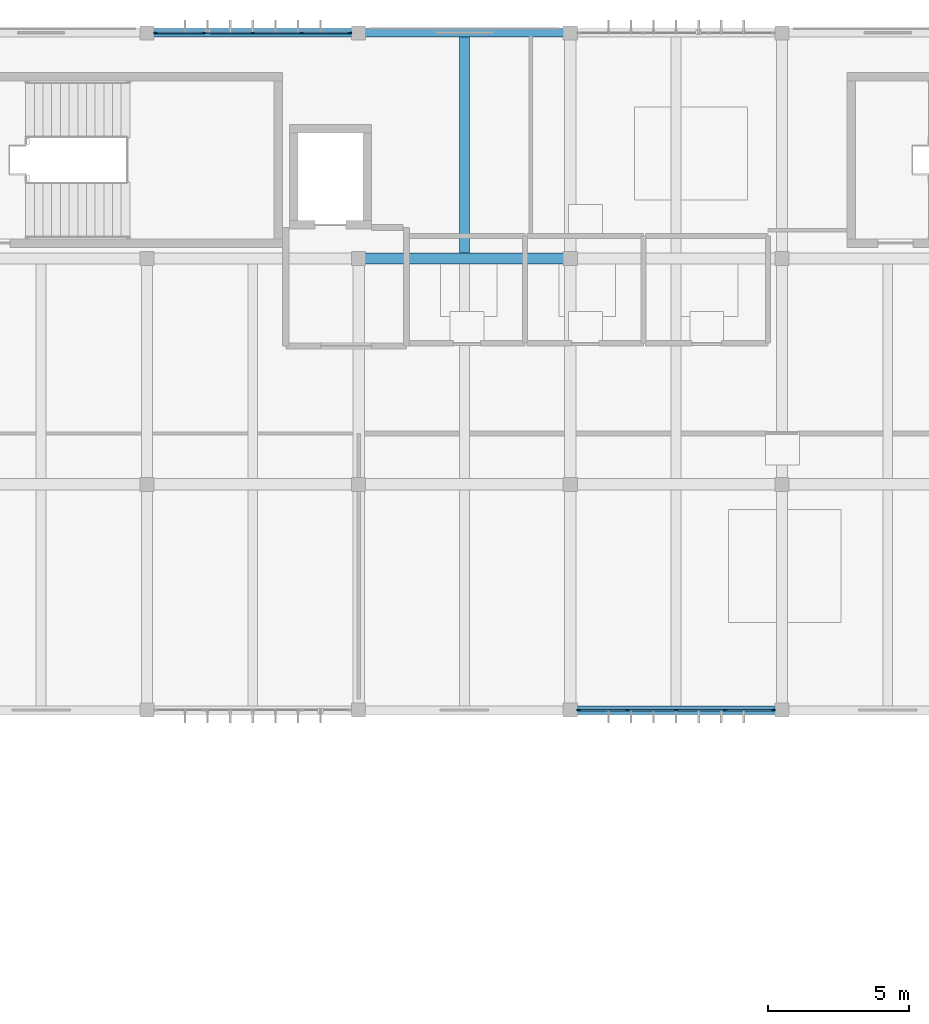
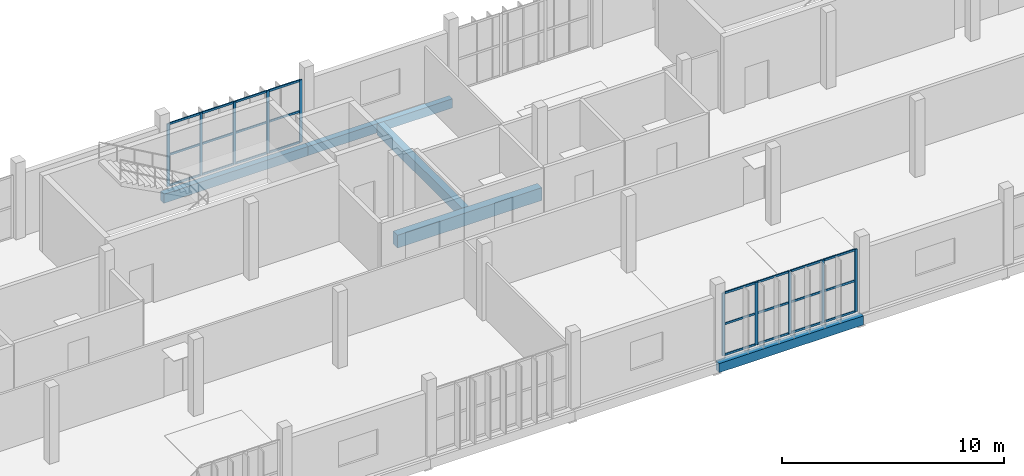
# One storey, part 8 of 27: 34 members, 5 beams, 2 elements without a shape of their own.
"""IFC4 building model written with IfcOpenShell, lengths in metres."""

from ifc_helpers import new_model, si_unit, direction, frame, origin, origin_2d, place, context, subcontext, project, spatial, rectangle, extrude, material, material_profile, profile_set, type_object, element, aggregate, save


model = new_model("IFC4")

# Units and contexts
model_context = context("Model", 3, precision=1e-05, world=origin(), true_north=direction((0.0, 1.0)))
body_context = subcontext(model_context, "Body", "Model", "MODEL_VIEW")
ifc_project = project(units=[si_unit("LENGTHUNIT", "METRE"), si_unit("AREAUNIT", "SQUARE_METRE"), si_unit("VOLUMEUNIT", "CUBIC_METRE"), si_unit("PLANEANGLEUNIT", "RADIAN"), si_unit("MASSUNIT", "GRAM", prefix="KILO")], contexts=[model_context])

# Site, building, storey
site_placement = place(None, origin())
site = spatial("IfcSite", under=ifc_project, at=site_placement, CompositionType="ELEMENT")
building_placement = place(site_placement, origin())
building = spatial("IfcBuilding", under=site, at=building_placement, Name="Vourika Railside Aquatics Centre", CompositionType="ELEMENT")
storey_placement = place(building_placement, frame((0.0, 0.0, 13.5)))
storey = spatial("IfcBuildingStorey", under=building, at=storey_placement, Name="L03", CompositionType="ELEMENT", Elevation=13.5)

# Beams
ifc_material_1 = material(Name="Concrete C35/45", Category="concrete")
ifc_material_profile_1 = material_profile(ifc_material_1, rectangle(XDim=0.39990234375, YDim=0.699951171875, at=origin_2d()), Name="RC 400x700")
ifc_profile_set_1 = profile_set([ifc_material_profile_1], Name="Concrete C35/45")
beam_type_1 = type_object("IfcBeamType", Name="BM-GIRD-400x700", PredefinedType="BEAM", material=ifc_profile_set_1)
beam_1_placement = place(storey_placement, frame((58.5, 108.0, -0.610107421875), z_axis=(1.0, 0.0, 0.0), x_axis=(0.0, 1.0, 0.0)))
element("IfcBeam", 1, at=beam_1_placement, inside=storey, type_object=beam_type_1, Name="Floor Beam GX-L03-075", PredefinedType="BEAM", context=body_context, shape_type="SweptSolid", body=[
    extrude(rectangle(XDim=0.39990234375, YDim=0.699951171875, at=origin_2d()), origin(), (0.0, 0.0, 1.0), 7.5),
])
ifc_material_profile_2 = material_profile(ifc_material_1, rectangle(XDim=0.35009765625, YDim=0.60009765625, at=origin_2d()), Name="RC 350x600")
ifc_profile_set_2 = profile_set([ifc_material_profile_2], Name="Concrete C35/45")
beam_type_2 = type_object("IfcBeamType", Name="BM-SEC-350x600", PredefinedType="JOIST", material=ifc_profile_set_2)
beam_2_placement = place(storey_placement, frame((62.25, 108.199951171875, -0.56005859375), z_axis=(0.0, 1.0, 0.0), x_axis=(-1.0, 0.0, 0.0)))
element("IfcBeam", 2, at=beam_2_placement, inside=storey, type_object=beam_type_2, Name="Secondary Joist JY-L03-245", PredefinedType="JOIST", context=body_context, shape_type="SweptSolid", body=[
    extrude(rectangle(XDim=0.35009765625, YDim=0.60009765625, at=origin_2d()), origin(), (0.0, 0.0, 1.0), 7.650146484375),
])
ifc_material_profile_3 = material_profile(ifc_material_1, rectangle(XDim=0.300048828125, YDim=0.5, at=origin_2d()), Name="RC 300x500")
ifc_profile_set_3 = profile_set([ifc_material_profile_3], Name="Concrete C35/45")
beam_type_3 = type_object("IfcBeamType", Name="BM-SPAN-300x500", PredefinedType="SPANDREL", material=ifc_profile_set_3)
for number, where, z_axis, x_axis, name in (
    (3, (66.0, 92.0, -0.510009765625), (1.0, 0.0, 0.0), (0.0, 1.0, 0.0), "Floor Beam GX-L03-042"),
    (4, (51.0, 116.0, -0.510009765625), (1.0, 0.0, 0.0), (0.0, 1.0, 0.0), "Floor Beam GX-L03-089"),
    (5, (58.5, 116.0, -0.510009765625), (1.0, 0.0, 0.0), (0.0, 1.0, 0.0), "Floor Beam GX-L03-090"),
):
    element("IfcBeam", number, at=place(storey_placement, frame(where, z_axis=z_axis, x_axis=x_axis)), inside=storey, type_object=beam_type_3, Name=name, PredefinedType="SPANDREL", context=body_context, shape_type="SweptSolid", body=[
        extrude(rectangle(XDim=0.300048828125, YDim=0.5, at=origin_2d()), origin(), (0.0, 0.0, 1.0), 7.5),
    ])

# Curtain wall, members
ifc_material_2 = material(Name="Anodized thermally broken aluminium", Category="aluminium")
curtain_wall_type = type_object("IfcCurtainWallType", Name="CW-FIT3", PredefinedType="NOTDEFINED", material=ifc_material_2)
curtain_wall_1_placement = place(storey_placement, origin())
curtain_wall_1 = element("IfcCurtainWall", 6, at=curtain_wall_1_placement, inside=storey, type_object=curtain_wall_type, Name="North Boulevard Curtain Wall L03-5", PredefinedType="NOTDEFINED")
ifc_material_3 = material(Name="Anodized aluminium mullion", Category="aluminium")
ifc_material_profile_4 = material_profile(ifc_material_3, rectangle(XDim=0.05810546875, YDim=0.14208984375, at=origin_2d()), Name="ALU-M 58x142")
ifc_profile_set_4 = profile_set([ifc_material_profile_4], Name="Anodized aluminium mullion")
member_type_1 = type_object("IfcMemberType", Name="CWM-FIT3", PredefinedType="MULLION", material=ifc_profile_set_4)
member_1_placement = place(storey_placement, frame((58.19091796875, 116.0, 0.0), z_axis=(0.0, 0.0, 1.0), x_axis=(0.0, -1.0, 0.0)))
member_1 = element("IfcMember", 7, at=member_1_placement, type_object=member_type_1, Name="CW17 mullion 1", PredefinedType="MULLION", context=body_context, shape_type="SweptSolid", body=[
    extrude(rectangle(XDim=0.05810546875, YDim=0.14208984375, at=origin_2d()), origin(), (0.0, 0.0, 1.0), 3.43994140625),
])
member_2_placement = place(storey_placement, frame((56.485107421875, 116.0, 0.0), z_axis=(0.0, 0.0, 1.0), x_axis=(0.0, -1.0, 0.0)))
member_2 = element("IfcMember", 8, at=member_2_placement, type_object=member_type_1, Name="CW17 mullion 2", PredefinedType="MULLION", context=body_context, shape_type="SweptSolid", body=[
    extrude(rectangle(XDim=0.05810546875, YDim=0.14208984375, at=origin_2d()), origin(), (0.0, 0.0, 1.0), 3.43994140625),
])
member_3_placement = place(storey_placement, frame((54.75, 116.0, 0.0), z_axis=(0.0, 0.0, 1.0), x_axis=(0.0, -1.0, 0.0)))
member_3 = element("IfcMember", 9, at=member_3_placement, type_object=member_type_1, Name="CW17 mullion 3", PredefinedType="MULLION", context=body_context, shape_type="SweptSolid", body=[
    extrude(rectangle(XDim=0.05810546875, YDim=0.14208984375, at=origin_2d()), origin(), (0.0, 0.0, 1.0), 3.43994140625),
])
member_4_placement = place(storey_placement, frame((53.014892578125, 116.0, 0.0), z_axis=(0.0, 0.0, 1.0), x_axis=(0.0, -1.0, 0.0)))
member_4 = element("IfcMember", 10, at=member_4_placement, type_object=member_type_1, Name="CW17 mullion 4", PredefinedType="MULLION", context=body_context, shape_type="SweptSolid", body=[
    extrude(rectangle(XDim=0.05810546875, YDim=0.14208984375, at=origin_2d()), origin(), (0.0, 0.0, 1.0), 3.43994140625),
])
member_5_placement = place(storey_placement, frame((51.30908203125, 116.0, 0.0), z_axis=(0.0, 0.0, 1.0), x_axis=(0.0, -1.0, 0.0)))
member_5 = element("IfcMember", 11, at=member_5_placement, type_object=member_type_1, Name="CW17 mullion 5", PredefinedType="MULLION", context=body_context, shape_type="SweptSolid", body=[
    extrude(rectangle(XDim=0.05810546875, YDim=0.14208984375, at=origin_2d()), origin(), (0.0, 0.0, 1.0), 3.43994140625),
])

curtain_wall_2_placement = place(storey_placement, origin())
curtain_wall_2 = element("IfcCurtainWall", 12, at=curtain_wall_2_placement, inside=storey, type_object=curtain_wall_type, Name="Courtyard Fitness Curtain Wall L03-5", PredefinedType="NOTDEFINED")
member_6_placement = place(storey_placement, frame((66.30908203125, 92.0, 0.0), z_axis=(0.0, 0.0, 1.0), x_axis=(0.0, 1.0, 0.0)))
member_6 = element("IfcMember", 13, at=member_6_placement, type_object=member_type_1, Name="CW17 mullion 1", PredefinedType="MULLION", context=body_context, shape_type="SweptSolid", body=[
    extrude(rectangle(XDim=0.05810546875, YDim=0.14208984375, at=origin_2d()), origin(), (0.0, 0.0, 1.0), 3.43994140625),
])
member_7_placement = place(storey_placement, frame((68.014892578125, 92.0, 0.0), z_axis=(0.0, 0.0, 1.0), x_axis=(0.0, 1.0, 0.0)))
member_7 = element("IfcMember", 14, at=member_7_placement, type_object=member_type_1, Name="CW17 mullion 2", PredefinedType="MULLION", context=body_context, shape_type="SweptSolid", body=[
    extrude(rectangle(XDim=0.05810546875, YDim=0.14208984375, at=origin_2d()), origin(), (0.0, 0.0, 1.0), 3.43994140625),
])
member_8_placement = place(storey_placement, frame((69.75, 92.0, 0.0), z_axis=(0.0, 0.0, 1.0), x_axis=(0.0, 1.0, 0.0)))
member_8 = element("IfcMember", 15, at=member_8_placement, type_object=member_type_1, Name="CW17 mullion 3", PredefinedType="MULLION", context=body_context, shape_type="SweptSolid", body=[
    extrude(rectangle(XDim=0.05810546875, YDim=0.14208984375, at=origin_2d()), origin(), (0.0, 0.0, 1.0), 3.43994140625),
])
member_9_placement = place(storey_placement, frame((71.485107421875, 92.0, 0.0), z_axis=(0.0, 0.0, 1.0), x_axis=(0.0, 1.0, 0.0)))
member_9 = element("IfcMember", 16, at=member_9_placement, type_object=member_type_1, Name="CW17 mullion 4", PredefinedType="MULLION", context=body_context, shape_type="SweptSolid", body=[
    extrude(rectangle(XDim=0.05810546875, YDim=0.14208984375, at=origin_2d()), origin(), (0.0, 0.0, 1.0), 3.43994140625),
])
member_10_placement = place(storey_placement, frame((73.19091796875, 92.0, 0.0), z_axis=(0.0, 0.0, 1.0), x_axis=(0.0, 1.0, 0.0)))
member_10 = element("IfcMember", 17, at=member_10_placement, type_object=member_type_1, Name="CW17 mullion 5", PredefinedType="MULLION", context=body_context, shape_type="SweptSolid", body=[
    extrude(rectangle(XDim=0.05810546875, YDim=0.14208984375, at=origin_2d()), origin(), (0.0, 0.0, 1.0), 3.43994140625),
])

# Member
ifc_material_4 = material(Name="Anodized aluminium transom", Category="aluminium")
ifc_material_profile_5 = material_profile(ifc_material_4, rectangle(XDim=0.05810546875, YDim=0.112060546875, at=origin_2d()), Name="ALU-T 58x112")
ifc_profile_set_5 = profile_set([ifc_material_profile_5], Name="Anodized aluminium transom")
member_type_2 = type_object("IfcMemberType", Name="CWT-FIT3", PredefinedType="USERDEFINED", material=ifc_profile_set_5)
member_11_placement = place(storey_placement, frame((58.162109375, 116.0, 0.029052734375), z_axis=(-1.0, 0.0, 0.0), x_axis=(0.0, -1.0, 0.0)))
member_11 = element("IfcMember", 18, at=member_11_placement, type_object=member_type_2, Name="CW17 transom 1.1", ObjectType="TRANSOM", PredefinedType="USERDEFINED", context=body_context, shape_type="SweptSolid", body=[
    extrude(rectangle(XDim=0.05810546875, YDim=0.112060546875, at=origin_2d()), origin(), (0.0, 0.0, 1.0), 1.648193359375),
])

member_12_placement = place(storey_placement, frame((58.162109375, 116.0, 1.719970703125), z_axis=(-1.0, 0.0, 0.0), x_axis=(0.0, -1.0, 0.0)))
member_12 = element("IfcMember", 19, at=member_12_placement, type_object=member_type_2, Name="CW17 transom 1.2", ObjectType="TRANSOM", PredefinedType="USERDEFINED", context=body_context, shape_type="SweptSolid", body=[
    extrude(rectangle(XDim=0.05810546875, YDim=0.112060546875, at=origin_2d()), origin(), (0.0, 0.0, 1.0), 1.648193359375),
])

member_13_placement = place(storey_placement, frame((58.162109375, 116.0, 3.410888671875), z_axis=(-1.0, 0.0, 0.0), x_axis=(0.0, -1.0, 0.0)))
member_13 = element("IfcMember", 20, at=member_13_placement, type_object=member_type_2, Name="CW17 transom 1.3", ObjectType="TRANSOM", PredefinedType="USERDEFINED", context=body_context, shape_type="SweptSolid", body=[
    extrude(rectangle(XDim=0.05810546875, YDim=0.112060546875, at=origin_2d()), origin(), (0.0, 0.0, 1.0), 1.648193359375),
])

member_14_placement = place(storey_placement, frame((56.4560546875, 116.0, 0.029052734375), z_axis=(-1.0, 0.0, 0.0), x_axis=(0.0, -1.0, 0.0)))
member_14 = element("IfcMember", 21, at=member_14_placement, type_object=member_type_2, Name="CW17 transom 2.1", ObjectType="TRANSOM", PredefinedType="USERDEFINED", context=body_context, shape_type="SweptSolid", body=[
    extrude(rectangle(XDim=0.05810546875, YDim=0.112060546875, at=origin_2d()), origin(), (0.0, 0.0, 1.0), 1.677001953125),
])

member_15_placement = place(storey_placement, frame((56.4560546875, 116.0, 1.719970703125), z_axis=(-1.0, 0.0, 0.0), x_axis=(0.0, -1.0, 0.0)))
member_15 = element("IfcMember", 22, at=member_15_placement, type_object=member_type_2, Name="CW17 transom 2.2", ObjectType="TRANSOM", PredefinedType="USERDEFINED", context=body_context, shape_type="SweptSolid", body=[
    extrude(rectangle(XDim=0.05810546875, YDim=0.112060546875, at=origin_2d()), origin(), (0.0, 0.0, 1.0), 1.677001953125),
])

member_16_placement = place(storey_placement, frame((56.4560546875, 116.0, 3.410888671875), z_axis=(-1.0, 0.0, 0.0), x_axis=(0.0, -1.0, 0.0)))
member_16 = element("IfcMember", 23, at=member_16_placement, type_object=member_type_2, Name="CW17 transom 2.3", ObjectType="TRANSOM", PredefinedType="USERDEFINED", context=body_context, shape_type="SweptSolid", body=[
    extrude(rectangle(XDim=0.05810546875, YDim=0.112060546875, at=origin_2d()), origin(), (0.0, 0.0, 1.0), 1.677001953125),
])

member_17_placement = place(storey_placement, frame((54.720947265625, 116.0, 0.029052734375), z_axis=(-1.0, 0.0, 0.0), x_axis=(0.0, -1.0, 0.0)))
member_17 = element("IfcMember", 24, at=member_17_placement, type_object=member_type_2, Name="CW17 transom 3.1", ObjectType="TRANSOM", PredefinedType="USERDEFINED", context=body_context, shape_type="SweptSolid", body=[
    extrude(rectangle(XDim=0.05810546875, YDim=0.112060546875, at=origin_2d()), origin(), (0.0, 0.0, 1.0), 1.677001953125),
])

member_18_placement = place(storey_placement, frame((54.720947265625, 116.0, 1.719970703125), z_axis=(-1.0, 0.0, 0.0), x_axis=(0.0, -1.0, 0.0)))
member_18 = element("IfcMember", 25, at=member_18_placement, type_object=member_type_2, Name="CW17 transom 3.2", ObjectType="TRANSOM", PredefinedType="USERDEFINED", context=body_context, shape_type="SweptSolid", body=[
    extrude(rectangle(XDim=0.05810546875, YDim=0.112060546875, at=origin_2d()), origin(), (0.0, 0.0, 1.0), 1.677001953125),
])

member_19_placement = place(storey_placement, frame((54.720947265625, 116.0, 3.410888671875), z_axis=(-1.0, 0.0, 0.0), x_axis=(0.0, -1.0, 0.0)))
member_19 = element("IfcMember", 26, at=member_19_placement, type_object=member_type_2, Name="CW17 transom 3.3", ObjectType="TRANSOM", PredefinedType="USERDEFINED", context=body_context, shape_type="SweptSolid", body=[
    extrude(rectangle(XDim=0.05810546875, YDim=0.112060546875, at=origin_2d()), origin(), (0.0, 0.0, 1.0), 1.677001953125),
])

member_20_placement = place(storey_placement, frame((52.986083984375, 116.0, 0.029052734375), z_axis=(-1.0, 0.0, 0.0), x_axis=(0.0, -1.0, 0.0)))
member_20 = element("IfcMember", 27, at=member_20_placement, type_object=member_type_2, Name="CW17 transom 4.1", ObjectType="TRANSOM", PredefinedType="USERDEFINED", context=body_context, shape_type="SweptSolid", body=[
    extrude(rectangle(XDim=0.05810546875, YDim=0.112060546875, at=origin_2d()), origin(), (0.0, 0.0, 1.0), 1.648193359375),
])

member_21_placement = place(storey_placement, frame((52.986083984375, 116.0, 1.719970703125), z_axis=(-1.0, 0.0, 0.0), x_axis=(0.0, -1.0, 0.0)))
member_21 = element("IfcMember", 28, at=member_21_placement, type_object=member_type_2, Name="CW17 transom 4.2", ObjectType="TRANSOM", PredefinedType="USERDEFINED", context=body_context, shape_type="SweptSolid", body=[
    extrude(rectangle(XDim=0.05810546875, YDim=0.112060546875, at=origin_2d()), origin(), (0.0, 0.0, 1.0), 1.648193359375),
])

member_22_placement = place(storey_placement, frame((52.986083984375, 116.0, 3.410888671875), z_axis=(-1.0, 0.0, 0.0), x_axis=(0.0, -1.0, 0.0)))
member_22 = element("IfcMember", 29, at=member_22_placement, type_object=member_type_2, Name="CW17 transom 4.3", ObjectType="TRANSOM", PredefinedType="USERDEFINED", context=body_context, shape_type="SweptSolid", body=[
    extrude(rectangle(XDim=0.05810546875, YDim=0.112060546875, at=origin_2d()), origin(), (0.0, 0.0, 1.0), 1.648193359375),
])

aggregate(curtain_wall_1, [member_1, member_2, member_3, member_4, member_5, member_11, member_12, member_13, member_14, member_15, member_16, member_17, member_18, member_19, member_20, member_21, member_22])

member_23_placement = place(storey_placement, frame((66.337890625, 92.0, 0.029052734375), z_axis=(1.0, 0.0, 0.0), x_axis=(0.0, 1.0, 0.0)))
member_23 = element("IfcMember", 30, at=member_23_placement, type_object=member_type_2, Name="CW17 transom 1.1", ObjectType="TRANSOM", PredefinedType="USERDEFINED", context=body_context, shape_type="SweptSolid", body=[
    extrude(rectangle(XDim=0.05810546875, YDim=0.112060546875, at=origin_2d()), origin(), (0.0, 0.0, 1.0), 1.648193359375),
])

member_24_placement = place(storey_placement, frame((66.337890625, 92.0, 1.719970703125), z_axis=(1.0, 0.0, 0.0), x_axis=(0.0, 1.0, 0.0)))
member_24 = element("IfcMember", 31, at=member_24_placement, type_object=member_type_2, Name="CW17 transom 1.2", ObjectType="TRANSOM", PredefinedType="USERDEFINED", context=body_context, shape_type="SweptSolid", body=[
    extrude(rectangle(XDim=0.05810546875, YDim=0.112060546875, at=origin_2d()), origin(), (0.0, 0.0, 1.0), 1.648193359375),
])

member_25_placement = place(storey_placement, frame((66.337890625, 92.0, 3.410888671875), z_axis=(1.0, 0.0, 0.0), x_axis=(0.0, 1.0, 0.0)))
member_25 = element("IfcMember", 32, at=member_25_placement, type_object=member_type_2, Name="CW17 transom 1.3", ObjectType="TRANSOM", PredefinedType="USERDEFINED", context=body_context, shape_type="SweptSolid", body=[
    extrude(rectangle(XDim=0.05810546875, YDim=0.112060546875, at=origin_2d()), origin(), (0.0, 0.0, 1.0), 1.648193359375),
])

member_26_placement = place(storey_placement, frame((68.0439453125, 92.0, 0.029052734375), z_axis=(1.0, 0.0, 0.0), x_axis=(0.0, 1.0, 0.0)))
member_26 = element("IfcMember", 33, at=member_26_placement, type_object=member_type_2, Name="CW17 transom 2.1", ObjectType="TRANSOM", PredefinedType="USERDEFINED", context=body_context, shape_type="SweptSolid", body=[
    extrude(rectangle(XDim=0.05810546875, YDim=0.112060546875, at=origin_2d()), origin(), (0.0, 0.0, 1.0), 1.677001953125),
])

member_27_placement = place(storey_placement, frame((68.0439453125, 92.0, 1.719970703125), z_axis=(1.0, 0.0, 0.0), x_axis=(0.0, 1.0, 0.0)))
member_27 = element("IfcMember", 34, at=member_27_placement, type_object=member_type_2, Name="CW17 transom 2.2", ObjectType="TRANSOM", PredefinedType="USERDEFINED", context=body_context, shape_type="SweptSolid", body=[
    extrude(rectangle(XDim=0.05810546875, YDim=0.112060546875, at=origin_2d()), origin(), (0.0, 0.0, 1.0), 1.677001953125),
])

member_28_placement = place(storey_placement, frame((68.0439453125, 92.0, 3.410888671875), z_axis=(1.0, 0.0, 0.0), x_axis=(0.0, 1.0, 0.0)))
member_28 = element("IfcMember", 35, at=member_28_placement, type_object=member_type_2, Name="CW17 transom 2.3", ObjectType="TRANSOM", PredefinedType="USERDEFINED", context=body_context, shape_type="SweptSolid", body=[
    extrude(rectangle(XDim=0.05810546875, YDim=0.112060546875, at=origin_2d()), origin(), (0.0, 0.0, 1.0), 1.677001953125),
])

member_29_placement = place(storey_placement, frame((69.779052734375, 92.0, 0.029052734375), z_axis=(1.0, 0.0, 0.0), x_axis=(0.0, 1.0, 0.0)))
member_29 = element("IfcMember", 36, at=member_29_placement, type_object=member_type_2, Name="CW17 transom 3.1", ObjectType="TRANSOM", PredefinedType="USERDEFINED", context=body_context, shape_type="SweptSolid", body=[
    extrude(rectangle(XDim=0.05810546875, YDim=0.112060546875, at=origin_2d()), origin(), (0.0, 0.0, 1.0), 1.677001953125),
])

member_30_placement = place(storey_placement, frame((69.779052734375, 92.0, 1.719970703125), z_axis=(1.0, 0.0, 0.0), x_axis=(0.0, 1.0, 0.0)))
member_30 = element("IfcMember", 37, at=member_30_placement, type_object=member_type_2, Name="CW17 transom 3.2", ObjectType="TRANSOM", PredefinedType="USERDEFINED", context=body_context, shape_type="SweptSolid", body=[
    extrude(rectangle(XDim=0.05810546875, YDim=0.112060546875, at=origin_2d()), origin(), (0.0, 0.0, 1.0), 1.677001953125),
])

member_31_placement = place(storey_placement, frame((69.779052734375, 92.0, 3.410888671875), z_axis=(1.0, 0.0, 0.0), x_axis=(0.0, 1.0, 0.0)))
member_31 = element("IfcMember", 38, at=member_31_placement, type_object=member_type_2, Name="CW17 transom 3.3", ObjectType="TRANSOM", PredefinedType="USERDEFINED", context=body_context, shape_type="SweptSolid", body=[
    extrude(rectangle(XDim=0.05810546875, YDim=0.112060546875, at=origin_2d()), origin(), (0.0, 0.0, 1.0), 1.677001953125),
])

member_32_placement = place(storey_placement, frame((71.513916015625, 92.0, 0.029052734375), z_axis=(1.0, 0.0, 0.0), x_axis=(0.0, 1.0, 0.0)))
member_32 = element("IfcMember", 39, at=member_32_placement, type_object=member_type_2, Name="CW17 transom 4.1", ObjectType="TRANSOM", PredefinedType="USERDEFINED", context=body_context, shape_type="SweptSolid", body=[
    extrude(rectangle(XDim=0.05810546875, YDim=0.112060546875, at=origin_2d()), origin(), (0.0, 0.0, 1.0), 1.648193359375),
])

member_33_placement = place(storey_placement, frame((71.513916015625, 92.0, 1.719970703125), z_axis=(1.0, 0.0, 0.0), x_axis=(0.0, 1.0, 0.0)))
member_33 = element("IfcMember", 40, at=member_33_placement, type_object=member_type_2, Name="CW17 transom 4.2", ObjectType="TRANSOM", PredefinedType="USERDEFINED", context=body_context, shape_type="SweptSolid", body=[
    extrude(rectangle(XDim=0.05810546875, YDim=0.112060546875, at=origin_2d()), origin(), (0.0, 0.0, 1.0), 1.648193359375),
])

member_34_placement = place(storey_placement, frame((71.513916015625, 92.0, 3.410888671875), z_axis=(1.0, 0.0, 0.0), x_axis=(0.0, 1.0, 0.0)))
member_34 = element("IfcMember", 41, at=member_34_placement, type_object=member_type_2, Name="CW17 transom 4.3", ObjectType="TRANSOM", PredefinedType="USERDEFINED", context=body_context, shape_type="SweptSolid", body=[
    extrude(rectangle(XDim=0.05810546875, YDim=0.112060546875, at=origin_2d()), origin(), (0.0, 0.0, 1.0), 1.648193359375),
])

aggregate(curtain_wall_2, [member_6, member_7, member_8, member_9, member_10, member_23, member_24, member_25, member_26, member_27, member_28, member_29, member_30, member_31, member_32, member_33, member_34])

save(model, "model.ifc")
